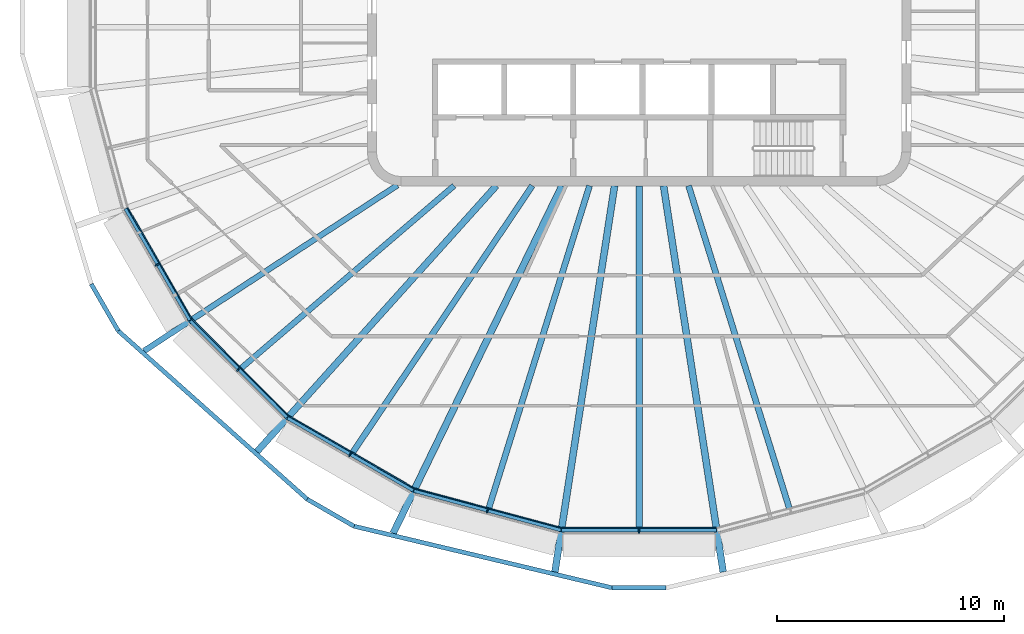
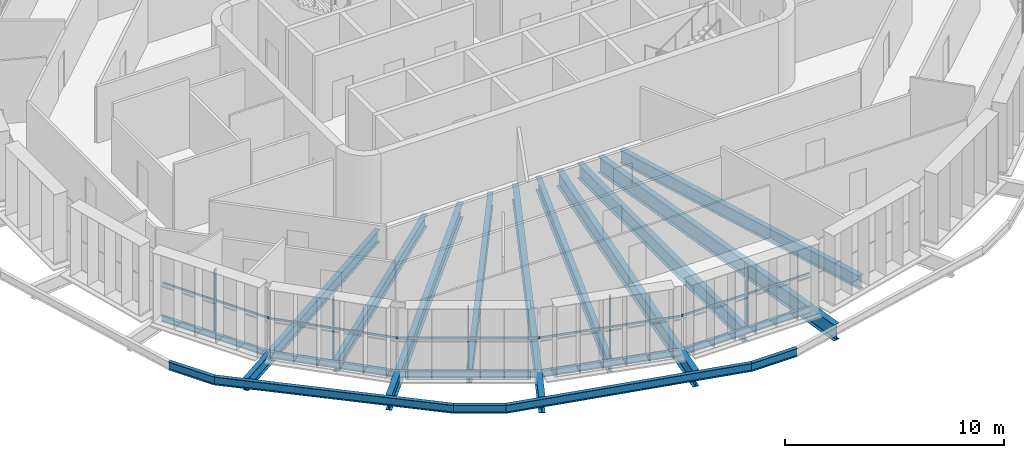
# One storey, part 1 of 18: 20 beams, 10 members, 5 elements without a shape of their own.
"""IFC4 building model written with IfcOpenShell, lengths in metres."""

from ifc_helpers import new_model, si_unit, direction, frame, origin, origin_2d, place, context, subcontext, project, spatial, rectangle, i_section, extrude, material, layer, layer_set, material_profile, profile_set, type_object, element, aggregate, save


model = new_model("IFC4")

# Units and contexts
model_context = context("Model", 3, precision=1e-05, world=origin(), true_north=direction((0.0, 1.0)))
body_context = subcontext(model_context, "Body", "Model", "MODEL_VIEW")
ifc_project = project(units=[si_unit("LENGTHUNIT", "METRE"), si_unit("AREAUNIT", "SQUARE_METRE"), si_unit("VOLUMEUNIT", "CUBIC_METRE"), si_unit("PLANEANGLEUNIT", "RADIAN"), si_unit("MASSUNIT", "GRAM", prefix="KILO")], contexts=[model_context])

# Site, building, storey
site_placement = place(None, origin())
site = spatial("IfcSite", under=ifc_project, at=site_placement, CompositionType="ELEMENT")
building_placement = place(site_placement, origin())
building = spatial("IfcBuilding", under=site, at=building_placement, Name="Sahrelin Media Tower", CompositionType="ELEMENT")
storey_placement = place(building_placement, frame((0.0, 0.0, 320.39990234375)))
storey = spatial("IfcBuildingStorey", under=building, at=storey_placement, Name="L71", CompositionType="ELEMENT", Elevation=320.39990234375)

# Beams
ifc_material_1 = material(Name="Steel S355", Category="steel")
ifc_material_profile_1 = material_profile(ifc_material_1, i_section(OverallWidth=0.1650390625, OverallDepth=0.303466796875, WebThickness=0.006103515625, FlangeThickness=0.01025390625, FilletRadius=0.0087890625, at=origin_2d()), Name="UB 305x165x40")
ifc_profile_set_1 = profile_set([ifc_material_profile_1], Name="Steel S355")
beam_type_1 = type_object("IfcBeamType", Name="Edge beam EB2", PredefinedType="BEAM", material=ifc_profile_set_1)
beam_1_placement = place(storey_placement, frame((-19.822998046875, -12.933349609375, -0.301513671875), z_axis=(-0.50000363893, 0.866023302837, 0.0), x_axis=(-0.866023302837, -0.50000363893, 0.0)))
element("IfcBeam", 1, at=beam_1_placement, inside=storey, type_object=beam_type_1, Name="Edge beam L71-11", PredefinedType="BEAM", context=body_context, shape_type="SweptSolid", body=[
    extrude(i_section(OverallWidth=0.1650390625, OverallDepth=0.303466796875, WebThickness=0.006103515625, FlangeThickness=0.01025390625, FilletRadius=0.0087890625, at=origin_2d()), origin(), (0.0, 0.0, 1.0), 5.68701171875),
])
ifc_material_profile_2 = material_profile(ifc_material_1, i_section(OverallWidth=0.17138671875, OverallDepth=0.35498046875, WebThickness=0.00732421875, FlangeThickness=0.011474609375, FilletRadius=0.01025390625, at=origin_2d()), Name="UB 356x171x51")
ifc_profile_set_2 = profile_set([ifc_material_profile_2], Name="Steel S355")
beam_type_2 = type_object("IfcBeamType", Name="Edge beam EB3", PredefinedType="BEAM", material=ifc_profile_set_2)
beam_2_placement = place(storey_placement, frame((3.4169921875, -22.200927734375, -0.327392578125), z_axis=(-1.0, 0.0, 0.0), x_axis=(0.0, -1.0, 0.0)))
element("IfcBeam", 2, at=beam_2_placement, inside=storey, type_object=beam_type_2, Name="Edge beam L71-07", PredefinedType="BEAM", context=body_context, shape_type="SweptSolid", body=[
    extrude(i_section(OverallWidth=0.17138671875, OverallDepth=0.35498046875, WebThickness=0.00732421875, FlangeThickness=0.011474609375, FilletRadius=0.01025390625, at=origin_2d()), origin(), (0.0, 0.0, 1.0), 6.833984375),
])
beam_3_placement = place(storey_placement, frame((-3.44580078125, -22.197021484375, -0.327392578125), z_axis=(-0.965930856343, 0.258800271955, 0.0), x_axis=(-0.258800271955, -0.965930856343, 0.0)))
element("IfcBeam", 3, at=beam_3_placement, inside=storey, type_object=beam_type_2, Name="Edge beam L71-08", PredefinedType="BEAM", context=body_context, shape_type="SweptSolid", body=[
    extrude(i_section(OverallWidth=0.17138671875, OverallDepth=0.35498046875, WebThickness=0.00732421875, FlangeThickness=0.011474609375, FilletRadius=0.01025390625, at=origin_2d()), origin(), (0.0, 0.0, 1.0), 6.717529296875),
])
beam_4_placement = place(storey_placement, frame((-9.961181640625, -20.447509765625, -0.327392578125), z_axis=(-0.866016350121, 0.500015681077, 0.0), x_axis=(-0.500015681077, -0.866016350121, 0.0)))
element("IfcBeam", 4, at=beam_4_placement, inside=storey, type_object=beam_type_2, Name="Edge beam L71-09", PredefinedType="BEAM", context=body_context, shape_type="SweptSolid", body=[
    extrude(i_section(OverallWidth=0.17138671875, OverallDepth=0.35498046875, WebThickness=0.00732421875, FlangeThickness=0.011474609375, FilletRadius=0.01025390625, at=origin_2d()), origin(), (0.0, 0.0, 1.0), 6.414306640625),
])
beam_5_placement = place(storey_placement, frame((-15.5390625, -17.22265625, -0.327392578125), z_axis=(-0.707106781187, 0.707106781187, 0.0), x_axis=(-0.707106781187, -0.707106781187, 0.0)))
element("IfcBeam", 5, at=beam_5_placement, inside=storey, type_object=beam_type_2, Name="Edge beam L71-10", PredefinedType="BEAM", context=body_context, shape_type="SweptSolid", body=[
    extrude(i_section(OverallWidth=0.17138671875, OverallDepth=0.35498046875, WebThickness=0.00732421875, FlangeThickness=0.011474609375, FilletRadius=0.01025390625, at=origin_2d()), origin(), (0.0, 0.0, 1.0), 6.033447265625),
])

# Curtain wall, member
ifc_material_2 = material(Name="Champagne anodised aluminium 6063-T6", Category="aluminium")
ifc_layer = layer(ifc_material_2, 0.14990234375)
ifc_layer_set = layer_set([ifc_layer], Name="Tower ribbon curtain wall")
curtain_wall_type = type_object("IfcCurtainWallType", Name="Tower ribbon curtain wall", PredefinedType="NOTDEFINED", material=ifc_layer_set)
curtain_wall_1_placement = place(storey_placement, frame((-21.37451171875, -10.5458984375, 0.0), z_axis=(0.0, 0.0, 1.0), x_axis=(1.0, 0.0, 0.0)))
curtain_wall_1 = element("IfcCurtainWall", 6, at=curtain_wall_1_placement, inside=storey, type_object=curtain_wall_type, Name="L71:CW:L71-14", PredefinedType="NOTDEFINED")
ifc_material_profile_3 = material_profile(ifc_material_2, rectangle(XDim=0.06005859375, YDim=0.199951171875, at=origin_2d()), Name="Mullion 60x200")
ifc_profile_set_3 = profile_set([ifc_material_profile_3], Name="Champagne anodised aluminium 6063-T6")
member_type_1 = type_object("IfcMemberType", Name="Mullion 60x200 CW1C", PredefinedType="MULLION", material=ifc_profile_set_3)
member_1_placement = place(storey_placement, frame((-21.270751953125, -10.48583984375, 0.0), z_axis=(0.0, 0.0, 1.0), x_axis=(0.500004534492, -0.866022785779, 0.0)))
member_1 = element("IfcMember", 7, at=member_1_placement, type_object=member_type_1, Name="L71:CWM:L71-14", PredefinedType="MULLION", context=body_context, shape_type="SweptSolid", body=[
    extrude(rectangle(XDim=0.06005859375, YDim=0.199951171875, at=origin_2d()), origin(), (0.0, 0.0, 1.0), 3.44873046875),
])

curtain_wall_2_placement = place(storey_placement, frame((-17.7783203125, -15.195556640625, 0.0), z_axis=(0.0, 0.0, 1.0), x_axis=(1.0, 0.0, 0.0)))
curtain_wall_2 = element("IfcCurtainWall", 8, at=curtain_wall_2_placement, inside=storey, type_object=curtain_wall_type, Name="L71:CW:L71-15", PredefinedType="NOTDEFINED")
member_2_placement = place(storey_placement, frame((-17.693359375, -15.110595703125, 0.0), z_axis=(0.0, 0.0, 1.0), x_axis=(0.707106781187, -0.707106781187, 0.0)))
member_2 = element("IfcMember", 9, at=member_2_placement, type_object=member_type_1, Name="L71:CWM:L71-15", PredefinedType="MULLION", context=body_context, shape_type="SweptSolid", body=[
    extrude(rectangle(XDim=0.06005859375, YDim=0.199951171875, at=origin_2d()), origin(), (0.0, 0.0, 1.0), 3.44873046875),
])

curtain_wall_3_placement = place(storey_placement, frame((-12.813720703125, -18.973876953125, 0.0), z_axis=(0.0, 0.0, 1.0), x_axis=(1.0, 0.0, 0.0)))
curtain_wall_3 = element("IfcCurtainWall", 10, at=curtain_wall_3_placement, inside=storey, type_object=curtain_wall_type, Name="L71:CW:L71-16", PredefinedType="NOTDEFINED")
member_3_placement = place(storey_placement, frame((-12.753662109375, -18.869873046875, 0.0), z_axis=(0.0, 0.0, 1.0), x_axis=(0.86602365845, -0.500003022996, 0.0)))
member_3 = element("IfcMember", 11, at=member_3_placement, type_object=member_type_1, Name="L71:CWM:L71-16", PredefinedType="MULLION", context=body_context, shape_type="SweptSolid", body=[
    extrude(rectangle(XDim=0.06005859375, YDim=0.199951171875, at=origin_2d()), origin(), (0.0, 0.0, 1.0), 3.44873046875),
])

curtain_wall_4_placement = place(storey_placement, frame((-6.72900390625, -21.47265625, 0.0), z_axis=(0.0, 0.0, 1.0), x_axis=(1.0, 0.0, 0.0)))
curtain_wall_4 = element("IfcCurtainWall", 12, at=curtain_wall_4_placement, inside=storey, type_object=curtain_wall_type, Name="L71:CW:L71-17", PredefinedType="NOTDEFINED")
member_4_placement = place(storey_placement, frame((-6.69775390625, -21.356689453125, 0.0), z_axis=(0.0, 0.0, 1.0), x_axis=(0.965926278012, -0.258817359244, 0.0)))
member_4 = element("IfcMember", 13, at=member_4_placement, type_object=member_type_1, Name="L71:CWM:L71-17", PredefinedType="MULLION", context=body_context, shape_type="SweptSolid", body=[
    extrude(rectangle(XDim=0.06005859375, YDim=0.199951171875, at=origin_2d()), origin(), (0.0, 0.0, 1.0), 3.44873046875),
])

curtain_wall_5_placement = place(storey_placement, frame((0.0, -22.350830078125, 0.0), z_axis=(0.0, 0.0, 1.0), x_axis=(1.0, 0.0, 0.0)))
curtain_wall_5 = element("IfcCurtainWall", 14, at=curtain_wall_5_placement, inside=storey, type_object=curtain_wall_type, Name="L71:CW:L71-18", PredefinedType="NOTDEFINED")
member_5_placement = place(storey_placement, frame((0.0, -22.23095703125, 0.0), z_axis=(0.0, 0.0, 1.0), x_axis=(1.0, 0.0, 0.0)))
member_5 = element("IfcMember", 15, at=member_5_placement, type_object=member_type_1, Name="L71:CWM:L71-18", PredefinedType="MULLION", context=body_context, shape_type="SweptSolid", body=[
    extrude(rectangle(XDim=0.06005859375, YDim=0.199951171875, at=origin_2d()), origin(), (0.0, 0.0, 1.0), 3.44873046875),
])

# Beams
ifc_material_profile_4 = material_profile(ifc_material_1, i_section(OverallWidth=0.291748046875, OverallDepth=0.8349609375, WebThickness=0.013916015625, FlangeThickness=0.018798828125, FilletRadius=0.017822265625, at=origin_2d()), Name="UB 838x292x176")
ifc_profile_set_4 = profile_set([ifc_material_profile_4], Name="Steel S355")
beam_type_3 = type_object("IfcBeamType", Name="Radial primary beam PB10", PredefinedType="BEAM", material=ifc_profile_set_4)
beam_6_placement = place(storey_placement, frame((-6.30126953125, -7.0, -0.5673828125), z_axis=(-0.669035624577, -0.743230336468, 0.0), x_axis=(0.743230336468, -0.669035624577, 0.0)))
element("IfcBeam", 16, at=beam_6_placement, inside=storey, type_object=beam_type_3, Name="Radial beam L71-16", PredefinedType="BEAM", context=body_context, shape_type="SweptSolid", body=[
    extrude(i_section(OverallWidth=0.291748046875, OverallDepth=0.8349609375, WebThickness=0.013916015625, FlangeThickness=0.018798828125, FilletRadius=0.017822265625, at=origin_2d()), origin(), (0.0, 0.0, 1.0), 15.791259765625),
])
ifc_material_profile_5 = material_profile(ifc_material_1, i_section(OverallWidth=0.30322265625, OverallDepth=0.903076171875, WebThickness=0.01513671875, FlangeThickness=0.020263671875, FilletRadius=0.01904296875, at=origin_2d()), Name="UB 914x305x201")
ifc_profile_set_5 = profile_set([ifc_material_profile_5], Name="Steel S355")
beam_type_4 = type_object("IfcBeamType", Name="Radial primary beam PB11", PredefinedType="BEAM", material=ifc_profile_set_5)
beam_7_placement = place(storey_placement, frame((-3.401123046875, -7.0, -0.601318359375), z_axis=(-0.437024704588, -0.899449502518, 0.0), x_axis=(0.899449502518, -0.437024704588, 0.0)))
element("IfcBeam", 17, at=beam_7_placement, inside=storey, type_object=beam_type_4, Name="Radial beam L71-17", PredefinedType="BEAM", context=body_context, shape_type="SweptSolid", body=[
    extrude(i_section(OverallWidth=0.30322265625, OverallDepth=0.903076171875, WebThickness=0.01513671875, FlangeThickness=0.020263671875, FilletRadius=0.01904296875, at=origin_2d()), origin(), (0.0, 0.0, 1.0), 17.06103515625),
])
for number, where, z_axis, x_axis, name in (
    (18, (-1.080810546875, -7.0, -0.601318359375), (-0.152615417816, -0.988285654173, 0.0), (0.988285654173, -0.152615417816, 0.0), "Radial beam L71-18"),
    (19, (1.080810546875, -7.0, -0.601318359375), (0.152615417816, -0.988285654173, 0.0), (0.988285654173, 0.152615417816, 0.0), "Radial beam L71-19"),
):
    element("IfcBeam", number, at=place(storey_placement, frame(where, z_axis=z_axis, x_axis=x_axis)), inside=storey, type_object=beam_type_4, Name=name, PredefinedType="BEAM", context=body_context, shape_type="SweptSolid", body=[
        extrude(i_section(OverallWidth=0.30322265625, OverallDepth=0.903076171875, WebThickness=0.01513671875, FlangeThickness=0.020263671875, FilletRadius=0.01904296875, at=origin_2d()), origin(), (0.0, 0.0, 1.0), 17.2529296875),
    ])
ifc_material_profile_6 = material_profile(ifc_material_1, i_section(OverallWidth=0.2529296875, OverallDepth=0.677978515625, WebThickness=0.01171875, FlangeThickness=0.01611328125, FilletRadius=0.01513671875, at=origin_2d()), Name="UB 686x254x125")
ifc_profile_set_6 = profile_set([ifc_material_profile_6], Name="Steel S355")
beam_type_5 = type_object("IfcBeamType", Name="Radial primary beam PB8", PredefinedType="BEAM", material=ifc_profile_set_6)
beam_8_placement = place(storey_placement, frame((-10.669189453125, -6.977783203125, -0.489013671875), z_axis=(-0.836908141408, -0.547343368321, 0.0), x_axis=(0.547343368321, -0.836908141408, 0.0)))
element("IfcBeam", 20, at=beam_8_placement, inside=storey, type_object=beam_type_5, Name="Radial beam L71-15", PredefinedType="BEAM", context=body_context, shape_type="SweptSolid", body=[
    extrude(i_section(OverallWidth=0.2529296875, OverallDepth=0.677978515625, WebThickness=0.01171875, FlangeThickness=0.01611328125, FilletRadius=0.01513671875, at=origin_2d()), origin(), (0.0, 0.0, 1.0), 13.364501953125),
])
ifc_material_profile_7 = material_profile(ifc_material_1, i_section(OverallWidth=0.291748046875, OverallDepth=0.8349609375, WebThickness=0.013916015625, FlangeThickness=0.018798828125, FilletRadius=0.017822265625, at=origin_2d()), Name="UB 838x292x176")
ifc_profile_set_7 = profile_set([ifc_material_profile_7], Name="Steel S355")
beam_type_6 = type_object("IfcBeamType", Name="Radial secondary beam SB10", PredefinedType="BEAM", material=ifc_profile_set_7)
beam_9_placement = place(storey_placement, frame((0.0, -7.0, -0.5673828125), z_axis=(0.0, -1.0, 0.0), x_axis=(1.0, 0.0, 0.0)))
element("IfcBeam", 21, at=beam_9_placement, inside=storey, type_object=beam_type_6, Name="Secondary beam L71-18", PredefinedType="BEAM", context=body_context, shape_type="SweptSolid", body=[
    extrude(i_section(OverallWidth=0.291748046875, OverallDepth=0.8349609375, WebThickness=0.013916015625, FlangeThickness=0.018798828125, FilletRadius=0.017822265625, at=origin_2d()), origin(), (0.0, 0.0, 1.0), 15.114990234375),
])
ifc_material_profile_8 = material_profile(ifc_material_1, i_section(OverallWidth=0.2529296875, OverallDepth=0.677978515625, WebThickness=0.01171875, FlangeThickness=0.01611328125, FilletRadius=0.01513671875, at=origin_2d()), Name="UB 686x254x125")
ifc_profile_set_8 = profile_set([ifc_material_profile_8], Name="Steel S355")
beam_type_7 = type_object("IfcBeamType", Name="Radial secondary beam SB8", PredefinedType="BEAM", material=ifc_profile_set_8)
beam_10_placement = place(storey_placement, frame((-8.168212890625, -7.0, -0.489013671875), z_axis=(-0.75931918364, -0.650718354863, 0.0), x_axis=(0.650718354863, -0.75931918364, 0.0)))
element("IfcBeam", 22, at=beam_10_placement, inside=storey, type_object=beam_type_7, Name="Secondary beam L71-15", PredefinedType="BEAM", context=body_context, shape_type="SweptSolid", body=[
    extrude(i_section(OverallWidth=0.2529296875, OverallDepth=0.677978515625, WebThickness=0.01171875, FlangeThickness=0.01611328125, FilletRadius=0.01513671875, at=origin_2d()), origin(), (0.0, 0.0, 1.0), 12.391357421875),
])
ifc_material_profile_9 = material_profile(ifc_material_1, i_section(OverallWidth=0.26513671875, OverallDepth=0.75390625, WebThickness=0.0126953125, FlangeThickness=0.017578125, FilletRadius=0.0166015625, at=origin_2d()), Name="UB 762x267x147")
ifc_profile_set_9 = profile_set([ifc_material_profile_9], Name="Steel S355")
beam_type_8 = type_object("IfcBeamType", Name="Radial secondary beam SB9", PredefinedType="BEAM", material=ifc_profile_set_9)
beam_11_placement = place(storey_placement, frame((-4.71337890625, -7.0, -0.52685546875), z_axis=(-0.558514308312, -0.82949488691, 0.0), x_axis=(0.82949488691, -0.558514308312, 0.0)))
element("IfcBeam", 23, at=beam_11_placement, inside=storey, type_object=beam_type_8, Name="Secondary beam L71-16", PredefinedType="BEAM", context=body_context, shape_type="SweptSolid", body=[
    extrude(i_section(OverallWidth=0.26513671875, OverallDepth=0.75390625, WebThickness=0.0126953125, FlangeThickness=0.017578125, FilletRadius=0.0166015625, at=origin_2d()), origin(), (0.0, 0.0, 1.0), 14.218017578125),
])
for number, where, z_axis, x_axis, name in (
    (24, (-2.186279296875, -7.0, -0.52685546875), (-0.298144654784, -0.954520699002, 0.0), (0.954520699002, -0.298144654784, 0.0), "Secondary beam L71-17"),
    (25, (2.186279296875, -7.0, -0.52685546875), (0.298144654784, -0.954520699002, 0.0), (0.954520699002, 0.298144654784, 0.0), "Secondary beam L71-19"),
):
    element("IfcBeam", number, at=place(storey_placement, frame(where, z_axis=z_axis, x_axis=x_axis)), inside=storey, type_object=beam_type_8, Name=name, PredefinedType="BEAM", context=body_context, shape_type="SweptSolid", body=[
        extrude(i_section(OverallWidth=0.26513671875, OverallDepth=0.75390625, WebThickness=0.0126953125, FlangeThickness=0.017578125, FilletRadius=0.0166015625, at=origin_2d()), origin(), (0.0, 0.0, 1.0), 14.93212890625),
    ])
ifc_material_profile_10 = material_profile(ifc_material_1, i_section(OverallWidth=0.1904296875, OverallDepth=0.45703125, WebThickness=0.009033203125, FlangeThickness=0.014404296875, FilletRadius=0.01025390625, at=origin_2d()), Name="UB 457x191x74")
ifc_profile_set_10 = profile_set([ifc_material_profile_10], Name="Steel S355")
beam_type_9 = type_object("IfcBeamType", Name="Tie chord TC5", PredefinedType="BEAM", material=ifc_profile_set_10)
beam_12_placement = place(storey_placement, frame((-24.182373046875, -11.34326171875, -0.37841796875), z_axis=(0.499994325412, -0.866028679985, 0.0), x_axis=(0.866028679985, 0.499994325412, 0.0)))
element("IfcBeam", 26, at=beam_12_placement, inside=storey, type_object=beam_type_9, Name="Tie chord L71-14", PredefinedType="BEAM", context=body_context, shape_type="SweptSolid", body=[
    extrude(i_section(OverallWidth=0.1904296875, OverallDepth=0.45703125, WebThickness=0.009033203125, FlangeThickness=0.014404296875, FilletRadius=0.01025390625, at=origin_2d()), origin(), (0.0, 0.0, 1.0), 2.3837890625),
])
beam_13_placement = place(storey_placement, frame((-22.990478515625, -13.40771484375, -0.37841796875), z_axis=(0.746639514232, -0.665228859707, 0.0), x_axis=(0.665228859707, 0.746639514232, 0.0)))
element("IfcBeam", 27, at=beam_13_placement, inside=storey, type_object=beam_type_9, Name="Tie chord L71-15", PredefinedType="BEAM", context=body_context, shape_type="SweptSolid", body=[
    extrude(i_section(OverallWidth=0.1904296875, OverallDepth=0.45703125, WebThickness=0.009033203125, FlangeThickness=0.014404296875, FilletRadius=0.01025390625, at=origin_2d()), origin(), (0.0, 0.0, 1.0), 11.1708984375),
])
beam_14_placement = place(storey_placement, frame((-14.64990234375, -20.8388671875, -0.37841796875), z_axis=(0.866028679985, -0.499994325412, 0.0), x_axis=(0.499994325412, 0.866028679985, 0.0)))
element("IfcBeam", 28, at=beam_14_placement, inside=storey, type_object=beam_type_9, Name="Tie chord L71-16", PredefinedType="BEAM", context=body_context, shape_type="SweptSolid", body=[
    extrude(i_section(OverallWidth=0.1904296875, OverallDepth=0.45703125, WebThickness=0.009033203125, FlangeThickness=0.014404296875, FilletRadius=0.01025390625, at=origin_2d()), origin(), (0.0, 0.0, 1.0), 2.3837890625),
])
beam_15_placement = place(storey_placement, frame((-12.58544921875, -22.03076171875, -0.37841796875), z_axis=(0.972667165889, -0.232203756218, 0.0), x_axis=(0.232203756218, 0.972667165889, 0.0)))
element("IfcBeam", 29, at=beam_15_placement, inside=storey, type_object=beam_type_9, Name="Tie chord L71-17", PredefinedType="BEAM", context=body_context, shape_type="SweptSolid", body=[
    extrude(i_section(OverallWidth=0.1904296875, OverallDepth=0.45703125, WebThickness=0.009033203125, FlangeThickness=0.014404296875, FilletRadius=0.01025390625, at=origin_2d()), origin(), (0.0, 0.0, 1.0), 11.713623046875),
])
beam_16_placement = place(storey_placement, frame((-1.19189453125, -24.750732421875, -0.37841796875), z_axis=(1.0, 0.0, 0.0), x_axis=(0.0, 1.0, 0.0)))
element("IfcBeam", 30, at=beam_16_placement, inside=storey, type_object=beam_type_9, Name="Tie chord L71-18", PredefinedType="BEAM", context=body_context, shape_type="SweptSolid", body=[
    extrude(i_section(OverallWidth=0.1904296875, OverallDepth=0.45703125, WebThickness=0.009033203125, FlangeThickness=0.014404296875, FilletRadius=0.01025390625, at=origin_2d()), origin(), (0.0, 0.0, 1.0), 2.3837890625),
])

# Member
ifc_material_profile_11 = material_profile(ifc_material_2, rectangle(XDim=0.050048828125, YDim=0.1201171875, at=origin_2d()), Name="Transom 50x120")
ifc_profile_set_11 = profile_set([ifc_material_profile_11], Name="Champagne anodised aluminium 6063-T6")
member_type_2 = type_object("IfcMemberType", Name="Transom 50x120 CW1C", PredefinedType="USERDEFINED", material=ifc_profile_set_11)
member_6_placement = place(storey_placement, frame((-22.576416015625, -7.974365234375, 1.60009765625), z_axis=(0.500006439447, -0.866021685936, 0.0), x_axis=(0.866021685936, 0.500006439447, 0.0)))
member_6 = element("IfcMember", 31, at=member_6_placement, type_object=member_type_2, Name="L71:CWT:L71-14", ObjectType="TRANSOM", PredefinedType="USERDEFINED", context=body_context, shape_type="SweptSolid", body=[
    extrude(rectangle(XDim=0.050048828125, YDim=0.1201171875, at=origin_2d()), origin(), (0.0, 0.0, 1.0), 5.65576171875),
])

aggregate(curtain_wall_1, [member_1, member_6])

member_7_placement = place(storey_placement, frame((-19.72705078125, -12.900146484375, 1.60009765625), z_axis=(0.707106781187, -0.707106781187, 0.0), x_axis=(0.707106781187, 0.707106781187, 0.0)))
member_7 = element("IfcMember", 32, at=member_7_placement, type_object=member_type_2, Name="L71:CWT:L71-15", ObjectType="TRANSOM", PredefinedType="USERDEFINED", context=body_context, shape_type="SweptSolid", body=[
    extrude(rectangle(XDim=0.050048828125, YDim=0.1201171875, at=origin_2d()), origin(), (0.0, 0.0, 1.0), 6.002197265625),
])

aggregate(curtain_wall_2, [member_2, member_7])

member_8_placement = place(storey_placement, frame((-15.455078125, -17.165771484375, 1.60009765625), z_axis=(0.866014883366, -0.500018221457, 0.0), x_axis=(0.500018221457, 0.866014883366, 0.0)))
member_8 = element("IfcMember", 33, at=member_8_placement, type_object=member_type_2, Name="L71:CWT:L71-16", ObjectType="TRANSOM", PredefinedType="USERDEFINED", context=body_context, shape_type="SweptSolid", body=[
    extrude(rectangle(XDim=0.050048828125, YDim=0.1201171875, at=origin_2d()), origin(), (0.0, 0.0, 1.0), 6.383056640625),
])

aggregate(curtain_wall_3, [member_3, member_8])

member_9_placement = place(storey_placement, frame((-9.894775390625, -20.370849609375, 1.60009765625), z_axis=(0.965928819755, -0.258807873079, 0.0), x_axis=(0.258807873079, 0.965928819755, 0.0)))
member_9 = element("IfcMember", 34, at=member_9_placement, type_object=member_type_2, Name="L71:CWT:L71-17", ObjectType="TRANSOM", PredefinedType="USERDEFINED", context=body_context, shape_type="SweptSolid", body=[
    extrude(rectangle(XDim=0.050048828125, YDim=0.1201171875, at=origin_2d()), origin(), (0.0, 0.0, 1.0), 6.686279296875),
])

aggregate(curtain_wall_4, [member_4, member_9])

member_10_placement = place(storey_placement, frame((-3.4013671875, -22.10595703125, 1.60009765625), z_axis=(1.0, 0.0, 0.0), x_axis=(0.0, 1.0, 0.0)))
member_10 = element("IfcMember", 35, at=member_10_placement, type_object=member_type_2, Name="L71:CWT:L71-18", ObjectType="TRANSOM", PredefinedType="USERDEFINED", context=body_context, shape_type="SweptSolid", body=[
    extrude(rectangle(XDim=0.050048828125, YDim=0.1201171875, at=origin_2d()), origin(), (0.0, 0.0, 1.0), 6.802734375),
])

aggregate(curtain_wall_5, [member_5, member_10])

save(model, "model.ifc")
